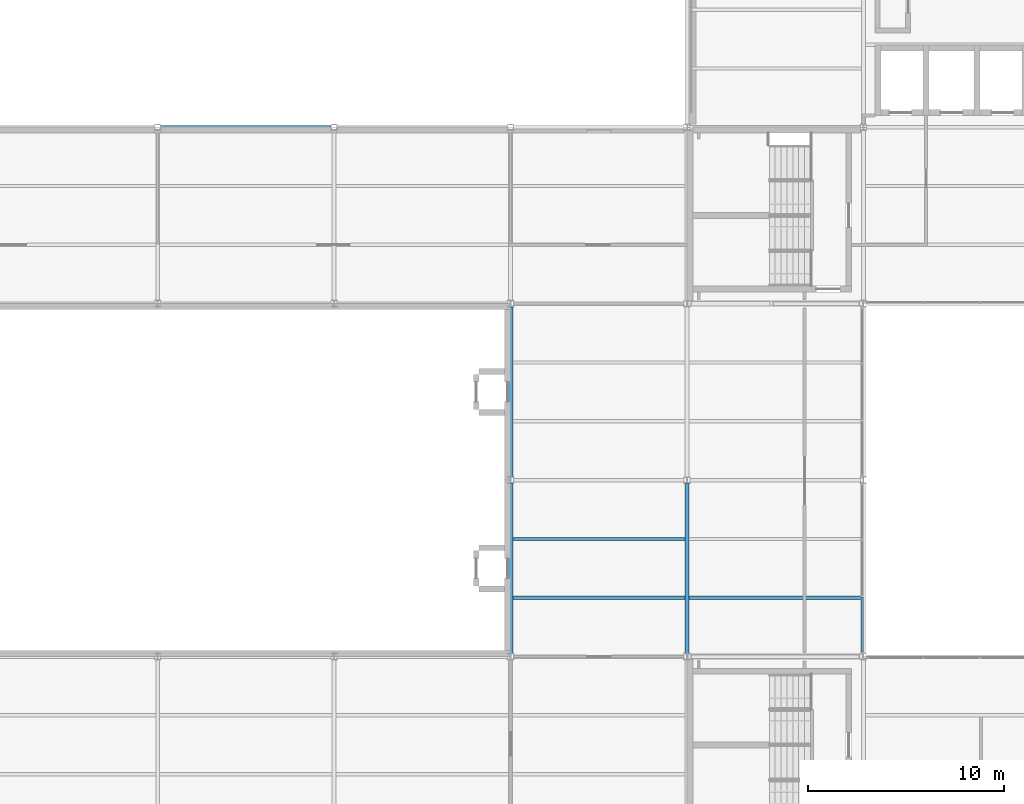
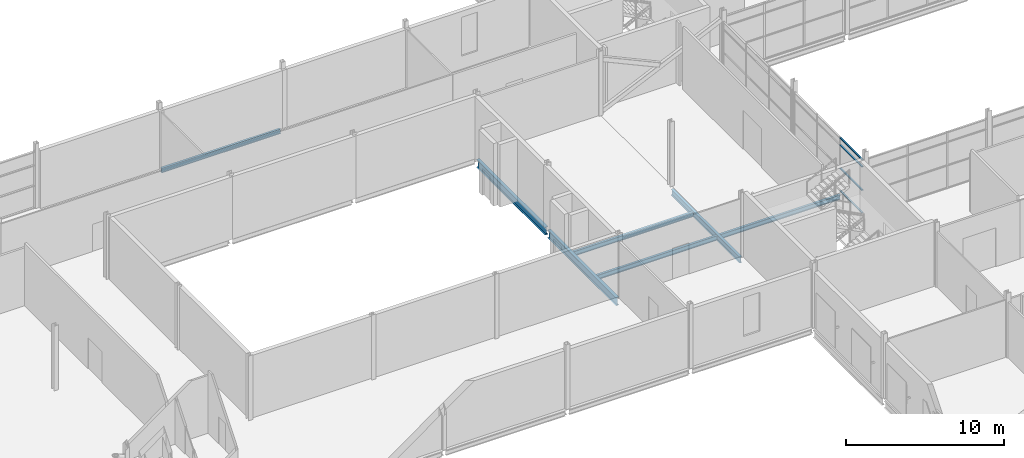
# One storey, part 34 of 112: 7 beams, 4 members, 1 element without a shape of its own.
"""IFC4 building model written with IfcOpenShell, lengths in metres."""

from ifc_helpers import new_model, si_unit, direction, frame, origin, origin_2d, place, context, subcontext, project, spatial, hollow_rectangle, i_section, extrude, material, layer, layer_set, material_profile, profile_set, type_object, element, aggregate, save


model = new_model("IFC4")

# Units and contexts
model_context = context("Model", 3, precision=1e-05, world=origin(), true_north=direction((0.0, 1.0)))
body_context = subcontext(model_context, "Body", "Model", "MODEL_VIEW")
ifc_project = project(units=[si_unit("LENGTHUNIT", "METRE"), si_unit("AREAUNIT", "SQUARE_METRE"), si_unit("VOLUMEUNIT", "CUBIC_METRE"), si_unit("PLANEANGLEUNIT", "RADIAN"), si_unit("MASSUNIT", "GRAM", prefix="KILO")], contexts=[model_context])

# Site, building, storey
site_placement = place(None, origin())
site = spatial("IfcSite", under=ifc_project, at=site_placement, CompositionType="ELEMENT")
building_placement = place(site_placement, origin())
building = spatial("IfcBuilding", under=site, at=building_placement, Name="Shorebreak Coast Museum", CompositionType="ELEMENT")
storey_placement = place(building_placement, frame((0.0, 0.0, 6.0)))
storey = spatial("IfcBuildingStorey", under=building, at=storey_placement, Name="L01", CompositionType="ELEMENT", Elevation=6.0)

# Beams
ifc_material_1 = material(Name="Steel Grade 300", Category="steel")
ifc_material_profile_1 = material_profile(ifc_material_1, i_section(OverallWidth=0.1708984375, OverallDepth=0.355712890625, WebThickness=0.00732421875, FlangeThickness=0.011474609375, FilletRadius=0.011474609375, at=origin_2d()), Name="360UB50.7")
ifc_profile_set_1 = profile_set([ifc_material_profile_1], Name="Steel Grade 300")
beam_type_1 = type_object("IfcBeamType", Name="Floor girder east-west 360UB50.7", PredefinedType="BEAM", material=ifc_profile_set_1)
beam_1_placement = place(storey_placement, frame((27.14990234375, 90.0, -0.352783203125), z_axis=(1.0, 0.0, 0.0), x_axis=(0.0, 1.0, 0.0)))
element("IfcBeam", 1, at=beam_1_placement, inside=storey, type_object=beam_type_1, Name="Floor girder east-west L01 4L", PredefinedType="BEAM", context=body_context, shape_type="SweptSolid", body=[
    extrude(i_section(OverallWidth=0.1708984375, OverallDepth=0.355712890625, WebThickness=0.00732421875, FlangeThickness=0.011474609375, FilletRadius=0.011474609375, at=origin_2d()), origin(), (0.0, 0.0, 1.0), 8.7001953125),
])
ifc_material_2 = material(Name="Steel Grade 300", Category="steel")
ifc_material_profile_2 = material_profile(ifc_material_2, i_section(OverallWidth=0.19091796875, OverallDepth=0.46044921875, WebThickness=0.010009765625, FlangeThickness=0.01611328125, FilletRadius=0.011474609375, at=origin_2d()), Name="460UB82.1")
ifc_profile_set_2 = profile_set([ifc_material_profile_2], Name="Steel Grade 300")
beam_type_2 = type_object("IfcBeamType", Name="Floor girder north-south 460UB82.1", PredefinedType="BEAM", material=ifc_profile_set_2)
beam_2_placement = place(storey_placement, frame((54.0, 63.160400390625, -0.4052734375), z_axis=(0.0, 1.0, 0.0), x_axis=(-1.0, 0.0, 0.0)))
element("IfcBeam", 2, at=beam_2_placement, inside=storey, type_object=beam_type_2, Name="Floor girder north-south L01 7H", PredefinedType="BEAM", context=body_context, shape_type="SweptSolid", body=[
    extrude(i_section(OverallWidth=0.19091796875, OverallDepth=0.46044921875, WebThickness=0.010009765625, FlangeThickness=0.01611328125, FilletRadius=0.011474609375, at=origin_2d()), origin(), (0.0, 0.0, 1.0), 8.67919921875),
])
ifc_material_3 = material(Name="Steel Grade 300", Category="steel")
ifc_material_profile_3 = material_profile(ifc_material_3, i_section(OverallWidth=0.22802734375, OverallDepth=0.60693359375, WebThickness=0.01123046875, FlangeThickness=0.017333984375, FilletRadius=0.013916015625, at=origin_2d()), Name="610UB113")
ifc_profile_set_3 = profile_set([ifc_material_profile_3], Name="Steel Grade 300")
beam_type_3 = type_object("IfcBeamType", Name="Floor girder north-south 610UB113", PredefinedType="BEAM", material=ifc_profile_set_3)
for number, where, z_axis, x_axis, name in (
    (3, (45.0, 63.16357421875, -0.478515625), (0.0, 1.0, 0.0), (-1.0, 0.0, 0.0), "Floor girder north-south L01 6H"),
    (4, (45.0, 72.16357421875, -0.478515625), (0.0, 1.0, 0.0), (-1.0, 0.0, 0.0), "Floor girder north-south L01 6J"),
):
    element("IfcBeam", number, at=place(storey_placement, frame(where, z_axis=z_axis, x_axis=x_axis)), inside=storey, type_object=beam_type_3, Name=name, PredefinedType="BEAM", context=body_context, shape_type="SweptSolid", body=[
        extrude(i_section(OverallWidth=0.22802734375, OverallDepth=0.60693359375, WebThickness=0.01123046875, FlangeThickness=0.017333984375, FilletRadius=0.013916015625, at=origin_2d()), origin(), (0.0, 0.0, 1.0), 8.6728515625),
    ])
ifc_material_4 = material(Name="Steel Grade 300", Category="steel")
ifc_material_profile_4 = material_profile(ifc_material_4, i_section(OverallWidth=0.1708984375, OverallDepth=0.35205078125, WebThickness=0.0068359375, FlangeThickness=0.009765625, FilletRadius=0.011474609375, at=origin_2d()), Name="360UB44.7")
ifc_profile_set_4 = profile_set([ifc_material_profile_4], Name="Steel Grade 300")
beam_type_4 = type_object("IfcBeamType", Name="Floor joist 360UB44.7", PredefinedType="JOIST", material=ifc_profile_set_4)
beam_3_placement = place(storey_placement, frame((54.095458984375, 66.0, -0.35107421875), z_axis=(1.0, 0.0, 0.0), x_axis=(0.0, 1.0, 0.0)))
element("IfcBeam", 5, at=beam_3_placement, inside=storey, type_object=beam_type_4, Name="Floor joist L01 bay 7H at 3000 mm", PredefinedType="JOIST", context=body_context, shape_type="SweptSolid", body=[
    extrude(i_section(OverallWidth=0.1708984375, OverallDepth=0.35205078125, WebThickness=0.0068359375, FlangeThickness=0.009765625, FilletRadius=0.011474609375, at=origin_2d()), origin(), (0.0, 0.0, 1.0), 8.79052734375),
])
ifc_material_5 = material(Name="Steel Grade 300", Category="steel")
ifc_material_profile_5 = material_profile(ifc_material_5, i_section(OverallWidth=0.1708984375, OverallDepth=0.355712890625, WebThickness=0.00732421875, FlangeThickness=0.011474609375, FilletRadius=0.011474609375, at=origin_2d()), Name="360UB50.7")
ifc_profile_set_5 = profile_set([ifc_material_profile_5], Name="Steel Grade 300")
beam_type_5 = type_object("IfcBeamType", Name="Floor joist 360UB50.7", PredefinedType="JOIST", material=ifc_profile_set_5)
for number, where, z_axis, x_axis, name in (
    (6, (45.114013671875, 66.0, -0.352783203125), (1.0, 0.0, 0.0), (0.0, 1.0, 0.0), "Floor joist L01 bay 6H at 3000 mm"),
    (7, (45.114013671875, 69.0, -0.352783203125), (1.0, 0.0, 0.0), (0.0, 1.0, 0.0), "Floor joist L01 bay 6H at 6000 mm"),
):
    element("IfcBeam", number, at=place(storey_placement, frame(where, z_axis=z_axis, x_axis=x_axis)), inside=storey, type_object=beam_type_5, Name=name, PredefinedType="JOIST", context=body_context, shape_type="SweptSolid", body=[
        extrude(i_section(OverallWidth=0.1708984375, OverallDepth=0.355712890625, WebThickness=0.00732421875, FlangeThickness=0.011474609375, FilletRadius=0.011474609375, at=origin_2d()), origin(), (0.0, 0.0, 1.0), 8.79052734375),
    ])

# Curtain wall, members
ifc_material_6 = material(Name="Aluminium", Category="aluminium")
ifc_layer = layer(ifc_material_6, 0.1201171875)
ifc_layer_set = layer_set([ifc_layer], Name="Aluminium")
curtain_wall_type = type_object("IfcCurtainWallType", Name="Atrium fire screen", PredefinedType="NOTDEFINED", material=ifc_layer_set)
curtain_wall_placement = place(storey_placement, origin())
curtain_wall = element("IfcCurtainWall", 8, at=curtain_wall_placement, inside=storey, type_object=curtain_wall_type, Name="Atrium screen L01 W 12", PredefinedType="NOTDEFINED")
ifc_material_7 = material(Name="Aluminium", Category="aluminium")
ifc_material_profile_6 = material_profile(ifc_material_7, hollow_rectangle(XDim=0.1201171875, YDim=0.06005859375, WallThickness=0.00341796875, at=origin_2d()), Name="AL 60x120 RHS")
ifc_profile_set_6 = profile_set([ifc_material_profile_6], Name="Aluminium")
member_type = type_object("IfcMemberType", Name="Screen transom 120 x 50", PredefinedType="USERDEFINED", material=ifc_profile_set_6)
member_1_placement = place(storey_placement, frame((62.93994140625, 63.2275390625, 0.06005859375), z_axis=(0.0, 1.0, 0.0), x_axis=(-1.0, 0.0, 0.0)))
member_1 = element("IfcMember", 9, at=member_1_placement, type_object=member_type, Name="CW4 transom 1.1", ObjectType="TRANSOM", PredefinedType="USERDEFINED", context=body_context, shape_type="SweptSolid", body=[
    extrude(hollow_rectangle(XDim=0.1201171875, YDim=0.06005859375, WallThickness=0.00341796875, at=origin_2d()), origin(), (0.0, 0.0, 1.0), 2.811279296875),
])
member_2_placement = place(storey_placement, frame((62.93994140625, 63.2275390625, 1.800048828125), z_axis=(0.0, 1.0, 0.0), x_axis=(-1.0, 0.0, 0.0)))
member_2 = element("IfcMember", 10, at=member_2_placement, type_object=member_type, Name="CW4 transom 1.2", ObjectType="TRANSOM", PredefinedType="USERDEFINED", context=body_context, shape_type="SweptSolid", body=[
    extrude(hollow_rectangle(XDim=0.1201171875, YDim=0.06005859375, WallThickness=0.00341796875, at=origin_2d()), origin(), (0.0, 0.0, 1.0), 2.811279296875),
])
member_3_placement = place(storey_placement, frame((62.93994140625, 63.2275390625, 3.60009765625), z_axis=(0.0, 1.0, 0.0), x_axis=(-1.0, 0.0, 0.0)))
member_3 = element("IfcMember", 11, at=member_3_placement, type_object=member_type, Name="CW4 transom 1.3", ObjectType="TRANSOM", PredefinedType="USERDEFINED", context=body_context, shape_type="SweptSolid", body=[
    extrude(hollow_rectangle(XDim=0.1201171875, YDim=0.06005859375, WallThickness=0.00341796875, at=origin_2d()), origin(), (0.0, 0.0, 1.0), 2.811279296875),
])
member_4_placement = place(storey_placement, frame((62.93994140625, 63.2275390625, 4.157958984375), z_axis=(0.0, 1.0, 0.0), x_axis=(-1.0, 0.0, 0.0)))
member_4 = element("IfcMember", 12, at=member_4_placement, type_object=member_type, Name="CW4 transom 1.4", ObjectType="TRANSOM", PredefinedType="USERDEFINED", context=body_context, shape_type="SweptSolid", body=[
    extrude(hollow_rectangle(XDim=0.1201171875, YDim=0.06005859375, WallThickness=0.00341796875, at=origin_2d()), origin(), (0.0, 0.0, 1.0), 2.811279296875),
])
aggregate(curtain_wall, [member_1, member_2, member_3, member_4])

save(model, "model.ifc")
